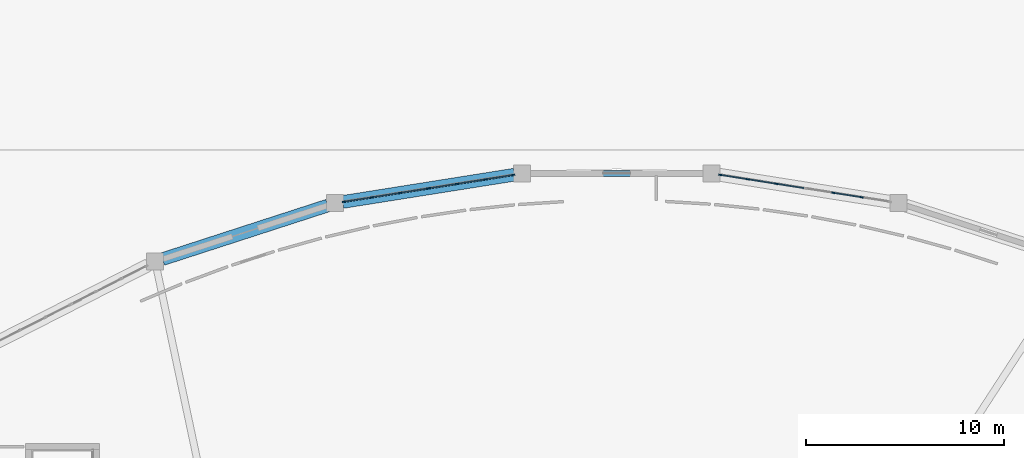
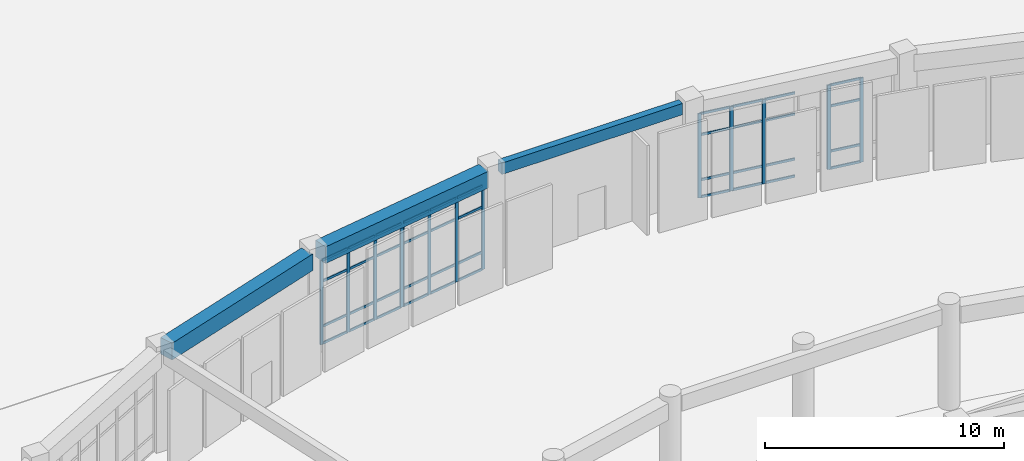
# One storey, part 20 of 70: 53 members, 3 beams, 4 elements without a shape of their own.
"""IFC4 building model written with IfcOpenShell, lengths in metres."""

from ifc_helpers import new_model, si_unit, direction, frame, origin, origin_2d, place, context, subcontext, project, spatial, rectangle, extrude, material, layer, layer_set, material_profile, profile_set, type_object, element, aggregate, save


model = new_model("IFC4")

# Units and contexts
model_context = context("Model", 3, precision=1e-05, world=origin(), true_north=direction((0.0, 1.0)))
body_context = subcontext(model_context, "Body", "Model", "MODEL_VIEW")
ifc_project = project(units=[si_unit("LENGTHUNIT", "METRE"), si_unit("AREAUNIT", "SQUARE_METRE"), si_unit("VOLUMEUNIT", "CUBIC_METRE"), si_unit("PLANEANGLEUNIT", "RADIAN"), si_unit("MASSUNIT", "GRAM", prefix="KILO")], contexts=[model_context])

# Site, building, storey
site_placement = place(None, origin())
site = spatial("IfcSite", under=ifc_project, at=site_placement, CompositionType="ELEMENT")
building_placement = place(site_placement, origin())
building = spatial("IfcBuilding", under=site, at=building_placement, Name="Miralva Faculty of Natural Sciences", CompositionType="ELEMENT")
storey_placement = place(building_placement, origin())
storey = spatial("IfcBuildingStorey", under=building, at=storey_placement, Name="L00", CompositionType="ELEMENT", Elevation=0.0)

# Beams
ifc_material_1 = material(Name="Concrete C40/50", Category="concrete")
ifc_material_profile_1 = material_profile(ifc_material_1, rectangle(XDim=0.320068359375, YDim=0.580078125, at=origin_2d()), Name="RC 320x580")
ifc_profile_set_1 = profile_set([ifc_material_profile_1], Name="Concrete C40/50")
beam_type_1 = type_object("IfcBeamType", Name="BM-BG02", PredefinedType="BEAM", material=ifc_profile_set_1)
beam_1_placement = place(storey_placement, frame((85.635009765625, 39.81005859375, 4.8701171875), z_axis=(1.0, 0.0, 0.0), x_axis=(0.0, 1.0, 0.0)))
element("IfcBeam", 1, at=beam_1_placement, inside=storey, type_object=beam_type_1, Name="Girder EW L00-45", PredefinedType="BEAM", context=body_context, shape_type="SweptSolid", body=[
    extrude(rectangle(XDim=0.320068359375, YDim=0.580078125, at=origin_2d()), origin(), (0.0, 0.0, 1.0), 8.72998046875),
])
ifc_material_profile_2 = material_profile(ifc_material_1, rectangle(XDim=0.64990234375, YDim=0.85009765625, at=origin_2d()), Name="RC 650x850")
ifc_profile_set_2 = profile_set([ifc_material_profile_2], Name="Concrete C40/50")
beam_type_2 = type_object("IfcBeamType", Name="BM-SP03", PredefinedType="SPANDREL", material=ifc_profile_set_2)
beam_2_placement = place(storey_placement, frame((84.82373046875, 39.748779296875, 4.735107421875), z_axis=(-0.987634435807, -0.156774427787, 0.0), x_axis=(0.156774427787, -0.987634435807, 0.0)))
element("IfcBeam", 2, at=beam_2_placement, inside=storey, type_object=beam_type_2, Name="Curved chord girder SHOUT L00-6", PredefinedType="SPANDREL", context=body_context, shape_type="SweptSolid", body=[
    extrude(rectangle(XDim=0.64990234375, YDim=0.85009765625, at=origin_2d()), origin(), (0.0, 0.0, 1.0), 8.7861328125),
])
beam_3_placement = place(storey_placement, frame((75.38818359375, 38.189453125, 4.735107421875), z_axis=(-0.951268878856, -0.308362643846, 0.0), x_axis=(0.308362643846, -0.951268878856, 0.0)))
element("IfcBeam", 3, at=beam_3_placement, inside=storey, type_object=beam_type_2, Name="Curved chord girder SHOUT L00-7", PredefinedType="SPANDREL", context=body_context, shape_type="SweptSolid", body=[
    extrude(rectangle(XDim=0.64990234375, YDim=0.85009765625, at=origin_2d()), origin(), (0.0, 0.0, 1.0), 8.7841796875),
])

# Curtain wall, members
ifc_material_2 = material(Name="Laminated solar-control glass", Category="glass")
ifc_layer = layer(ifc_material_2, 0.179931640625, Name="CW-ARC-L00")
ifc_layer_set = layer_set([ifc_layer], Name="Laminated solar-control glass")
curtain_wall_type = type_object("IfcCurtainWallType", Name="CW-ARC-L00", PredefinedType="USERDEFINED", material=ifc_layer_set)
curtain_wall_1_placement = place(storey_placement, origin())
curtain_wall_1 = element("IfcCurtainWall", 4, at=curtain_wall_1_placement, inside=storey, type_object=curtain_wall_type, Name="Curtain wall CW-01 L00-5", ObjectType="UNITISED CURTAIN WALL", PredefinedType="USERDEFINED")
ifc_material_3 = material(Name="Anodised aluminium", Category="aluminium")
ifc_material_profile_3 = material_profile(ifc_material_3, rectangle(XDim=0.06494140625, YDim=0.159912109375, at=origin_2d()), Name="MULLION 65x160")
ifc_profile_set_3 = profile_set([ifc_material_profile_3], Name="Anodised aluminium")
member_type_1 = type_object("IfcMemberType", Name="CW-M02", PredefinedType="MULLION", material=ifc_profile_set_3)
member_1_placement = place(storey_placement, frame((76.201904296875, 38.384521484375, 0.0), z_axis=(0.0, 0.0, 1.0), x_axis=(-0.15643952996, 0.987687538377, 0.0)))
member_1 = element("IfcMember", 5, at=member_1_placement, type_object=member_type_1, Name="CW-01 mullion 1", PredefinedType="MULLION", context=body_context, shape_type="SweptSolid", body=[
    extrude(rectangle(XDim=0.06494140625, YDim=0.159912109375, at=origin_2d()), origin(), (0.0, 0.0, 1.0), 4.304931640625),
])
member_2_placement = place(storey_placement, frame((77.60888671875, 38.607421875, 0.0), z_axis=(0.0, 0.0, 1.0), x_axis=(-0.15643952996, 0.987687538377, 0.0)))
member_2 = element("IfcMember", 6, at=member_2_placement, type_object=member_type_1, Name="CW-01 mullion 2", PredefinedType="MULLION", context=body_context, shape_type="SweptSolid", body=[
    extrude(rectangle(XDim=0.06494140625, YDim=0.159912109375, at=origin_2d()), origin(), (0.0, 0.0, 1.0), 4.304931640625),
])
member_3_placement = place(storey_placement, frame((79.0478515625, 38.83544921875, 0.0), z_axis=(0.0, 0.0, 1.0), x_axis=(-0.15643952996, 0.987687538377, 0.0)))
member_3 = element("IfcMember", 7, at=member_3_placement, type_object=member_type_1, Name="CW-01 mullion 3", PredefinedType="MULLION", context=body_context, shape_type="SweptSolid", body=[
    extrude(rectangle(XDim=0.06494140625, YDim=0.159912109375, at=origin_2d()), origin(), (0.0, 0.0, 1.0), 4.304931640625),
])
member_4_placement = place(storey_placement, frame((80.454833984375, 39.05810546875, 0.0), z_axis=(0.0, 0.0, 1.0), x_axis=(-0.15643952996, 0.987687538377, 0.0)))
member_4 = element("IfcMember", 8, at=member_4_placement, type_object=member_type_1, Name="CW-01 mullion 4", PredefinedType="MULLION", context=body_context, shape_type="SweptSolid", body=[
    extrude(rectangle(XDim=0.06494140625, YDim=0.159912109375, at=origin_2d()), origin(), (0.0, 0.0, 1.0), 4.304931640625),
])

curtain_wall_2_placement = place(storey_placement, origin())
curtain_wall_2 = element("IfcCurtainWall", 9, at=curtain_wall_2_placement, inside=storey, type_object=curtain_wall_type, Name="Curtain wall CW-01 L00-6", ObjectType="UNITISED CURTAIN WALL", PredefinedType="USERDEFINED")
member_5_placement = place(storey_placement, frame((80.51416015625, 39.067626953125, 0.0), z_axis=(0.0, 0.0, 1.0), x_axis=(-0.156422562973, 0.987690225624, 0.0)))
member_5 = element("IfcMember", 10, at=member_5_placement, type_object=member_type_1, Name="CW-01 mullion 1", PredefinedType="MULLION", context=body_context, shape_type="SweptSolid", body=[
    extrude(rectangle(XDim=0.06494140625, YDim=0.159912109375, at=origin_2d()), origin(), (0.0, 0.0, 1.0), 4.304931640625),
])
member_6_placement = place(storey_placement, frame((81.922607421875, 39.290771484375, 0.0), z_axis=(0.0, 0.0, 1.0), x_axis=(-0.156422562973, 0.987690225624, 0.0)))
member_6 = element("IfcMember", 11, at=member_6_placement, type_object=member_type_1, Name="CW-01 mullion 2", PredefinedType="MULLION", context=body_context, shape_type="SweptSolid", body=[
    extrude(rectangle(XDim=0.06494140625, YDim=0.159912109375, at=origin_2d()), origin(), (0.0, 0.0, 1.0), 4.304931640625),
])
member_7_placement = place(storey_placement, frame((83.36328125, 39.518798828125, 0.0), z_axis=(0.0, 0.0, 1.0), x_axis=(-0.156422562973, 0.987690225624, 0.0)))
member_7 = element("IfcMember", 12, at=member_7_placement, type_object=member_type_1, Name="CW-01 mullion 3", PredefinedType="MULLION", context=body_context, shape_type="SweptSolid", body=[
    extrude(rectangle(XDim=0.06494140625, YDim=0.159912109375, at=origin_2d()), origin(), (0.0, 0.0, 1.0), 4.304931640625),
])
member_8_placement = place(storey_placement, frame((84.77197265625, 39.741943359375, 0.0), z_axis=(0.0, 0.0, 1.0), x_axis=(-0.156422562973, 0.987690225624, 0.0)))
member_8 = element("IfcMember", 13, at=member_8_placement, type_object=member_type_1, Name="CW-01 mullion 4", PredefinedType="MULLION", context=body_context, shape_type="SweptSolid", body=[
    extrude(rectangle(XDim=0.06494140625, YDim=0.159912109375, at=origin_2d()), origin(), (0.0, 0.0, 1.0), 4.304931640625),
])

curtain_wall_3_placement = place(storey_placement, origin())
curtain_wall_3 = element("IfcCurtainWall", 14, at=curtain_wall_3_placement, inside=storey, type_object=curtain_wall_type, Name="Curtain wall CW-01 L00-7", ObjectType="UNITISED CURTAIN WALL", PredefinedType="USERDEFINED")
member_9_placement = place(storey_placement, frame((95.22802734375, 39.741943359375, 0.0), z_axis=(0.0, 0.0, 1.0), x_axis=(0.156417211778, 0.987691073089, 0.0)))
member_9 = element("IfcMember", 15, at=member_9_placement, type_object=member_type_1, Name="CW-01 mullion 1", PredefinedType="MULLION", context=body_context, shape_type="SweptSolid", body=[
    extrude(rectangle(XDim=0.06494140625, YDim=0.159912109375, at=origin_2d()), origin(), (0.0, 0.0, 1.0), 4.304931640625),
])
member_10_placement = place(storey_placement, frame((96.635009765625, 39.51904296875, 0.0), z_axis=(0.0, 0.0, 1.0), x_axis=(0.156417211778, 0.987691073089, 0.0)))
member_10 = element("IfcMember", 16, at=member_10_placement, type_object=member_type_1, Name="CW-01 mullion 2", PredefinedType="MULLION", context=body_context, shape_type="SweptSolid", body=[
    extrude(rectangle(XDim=0.06494140625, YDim=0.159912109375, at=origin_2d()), origin(), (0.0, 0.0, 1.0), 4.304931640625),
])
member_11_placement = place(storey_placement, frame((98.073974609375, 39.291259765625, 0.0), z_axis=(0.0, 0.0, 1.0), x_axis=(0.156417211778, 0.987691073089, 0.0)))
member_11 = element("IfcMember", 17, at=member_11_placement, type_object=member_type_1, Name="CW-01 mullion 3", PredefinedType="MULLION", context=body_context, shape_type="SweptSolid", body=[
    extrude(rectangle(XDim=0.06494140625, YDim=0.159912109375, at=origin_2d()), origin(), (0.0, 0.0, 1.0), 4.304931640625),
])

curtain_wall_4_placement = place(storey_placement, origin())
curtain_wall_4 = element("IfcCurtainWall", 18, at=curtain_wall_4_placement, inside=storey, type_object=curtain_wall_type, Name="Curtain wall CW-01 L00-8", ObjectType="UNITISED CURTAIN WALL", PredefinedType="USERDEFINED")
member_12_placement = place(storey_placement, frame((100.948974609375, 38.8359375, 0.0), z_axis=(0.0, 0.0, 1.0), x_axis=(0.156444855796, 0.987686694805, 0.0)))
member_12 = element("IfcMember", 19, at=member_12_placement, type_object=member_type_1, Name="CW-01 mullion 2", PredefinedType="MULLION", context=body_context, shape_type="SweptSolid", body=[
    extrude(rectangle(XDim=0.06494140625, YDim=0.159912109375, at=origin_2d()), origin(), (0.0, 0.0, 1.0), 4.304931640625),
])
member_13_placement = place(storey_placement, frame((102.3896484375, 38.607666015625, 0.0), z_axis=(0.0, 0.0, 1.0), x_axis=(0.156444855796, 0.987686694805, 0.0)))
member_13 = element("IfcMember", 20, at=member_13_placement, type_object=member_type_1, Name="CW-01 mullion 3", PredefinedType="MULLION", context=body_context, shape_type="SweptSolid", body=[
    extrude(rectangle(XDim=0.06494140625, YDim=0.159912109375, at=origin_2d()), origin(), (0.0, 0.0, 1.0), 4.304931640625),
])

# Member
ifc_material_profile_4 = material_profile(ifc_material_3, rectangle(XDim=0.06005859375, YDim=0.1201171875, at=origin_2d()), Name="TRANSOM 60x120")
ifc_profile_set_4 = profile_set([ifc_material_profile_4], Name="Anodised aluminium")
member_type_2 = type_object("IfcMemberType", Name="CW-T02", PredefinedType="USERDEFINED", material=ifc_profile_set_4)
member_14_placement = place(storey_placement, frame((76.23388671875, 38.3896484375, 0.030029296875), z_axis=(0.987691515216, 0.156414419955, 0.0), x_axis=(-0.156414419955, 0.987691515216, 0.0)))
member_14 = element("IfcMember", 21, at=member_14_placement, type_object=member_type_2, Name="CW-01 transom 1.1", ObjectType="TRANSOM", PredefinedType="USERDEFINED", context=body_context, shape_type="SweptSolid", body=[
    extrude(rectangle(XDim=0.06005859375, YDim=0.1201171875, at=origin_2d()), origin(), (0.0, 0.0, 1.0), 1.359619140625),
])

member_15_placement = place(storey_placement, frame((76.23388671875, 38.3896484375, 0.89990234375), z_axis=(0.987691515216, 0.156414419955, 0.0), x_axis=(-0.156414419955, 0.987691515216, 0.0)))
member_15 = element("IfcMember", 22, at=member_15_placement, type_object=member_type_2, Name="CW-01 transom 1.2", ObjectType="TRANSOM", PredefinedType="USERDEFINED", context=body_context, shape_type="SweptSolid", body=[
    extrude(rectangle(XDim=0.06005859375, YDim=0.1201171875, at=origin_2d()), origin(), (0.0, 0.0, 1.0), 1.359619140625),
])

member_16_placement = place(storey_placement, frame((76.23388671875, 38.3896484375, 3.205078125), z_axis=(0.987691515216, 0.156414419955, 0.0), x_axis=(-0.156414419955, 0.987691515216, 0.0)))
member_16 = element("IfcMember", 23, at=member_16_placement, type_object=member_type_2, Name="CW-01 transom 1.3", ObjectType="TRANSOM", PredefinedType="USERDEFINED", context=body_context, shape_type="SweptSolid", body=[
    extrude(rectangle(XDim=0.06005859375, YDim=0.1201171875, at=origin_2d()), origin(), (0.0, 0.0, 1.0), 1.359619140625),
])

member_17_placement = place(storey_placement, frame((76.23388671875, 38.3896484375, 4.27490234375), z_axis=(0.987691515216, 0.156414419955, 0.0), x_axis=(-0.156414419955, 0.987691515216, 0.0)))
member_17 = element("IfcMember", 24, at=member_17_placement, type_object=member_type_2, Name="CW-01 transom 1.4", ObjectType="TRANSOM", PredefinedType="USERDEFINED", context=body_context, shape_type="SweptSolid", body=[
    extrude(rectangle(XDim=0.06005859375, YDim=0.1201171875, at=origin_2d()), origin(), (0.0, 0.0, 1.0), 1.359619140625),
])

member_18_placement = place(storey_placement, frame((77.640869140625, 38.612548828125, 0.030029296875), z_axis=(0.987684621612, 0.156457943967, 0.0), x_axis=(-0.156457943967, 0.987684621612, 0.0)))
member_18 = element("IfcMember", 25, at=member_18_placement, type_object=member_type_2, Name="CW-01 transom 2.1", ObjectType="TRANSOM", PredefinedType="USERDEFINED", context=body_context, shape_type="SweptSolid", body=[
    extrude(rectangle(XDim=0.06005859375, YDim=0.1201171875, at=origin_2d()), origin(), (0.0, 0.0, 1.0), 1.391845703125),
])

member_19_placement = place(storey_placement, frame((77.640869140625, 38.612548828125, 0.89990234375), z_axis=(0.987684621612, 0.156457943967, 0.0), x_axis=(-0.156457943967, 0.987684621612, 0.0)))
member_19 = element("IfcMember", 26, at=member_19_placement, type_object=member_type_2, Name="CW-01 transom 2.2", ObjectType="TRANSOM", PredefinedType="USERDEFINED", context=body_context, shape_type="SweptSolid", body=[
    extrude(rectangle(XDim=0.06005859375, YDim=0.1201171875, at=origin_2d()), origin(), (0.0, 0.0, 1.0), 1.391845703125),
])

member_20_placement = place(storey_placement, frame((77.640869140625, 38.612548828125, 3.205078125), z_axis=(0.987684621612, 0.156457943967, 0.0), x_axis=(-0.156457943967, 0.987684621612, 0.0)))
member_20 = element("IfcMember", 27, at=member_20_placement, type_object=member_type_2, Name="CW-01 transom 2.3", ObjectType="TRANSOM", PredefinedType="USERDEFINED", context=body_context, shape_type="SweptSolid", body=[
    extrude(rectangle(XDim=0.06005859375, YDim=0.1201171875, at=origin_2d()), origin(), (0.0, 0.0, 1.0), 1.391845703125),
])

member_21_placement = place(storey_placement, frame((77.640869140625, 38.612548828125, 4.27490234375), z_axis=(0.987684621612, 0.156457943967, 0.0), x_axis=(-0.156457943967, 0.987684621612, 0.0)))
member_21 = element("IfcMember", 28, at=member_21_placement, type_object=member_type_2, Name="CW-01 transom 2.4", ObjectType="TRANSOM", PredefinedType="USERDEFINED", context=body_context, shape_type="SweptSolid", body=[
    extrude(rectangle(XDim=0.06005859375, YDim=0.1201171875, at=origin_2d()), origin(), (0.0, 0.0, 1.0), 1.391845703125),
])

member_22_placement = place(storey_placement, frame((79.079833984375, 38.84033203125, 0.030029296875), z_axis=(0.987663757248, 0.156589599331, 0.0), x_axis=(-0.156589599331, 0.987663757248, 0.0)))
member_22 = element("IfcMember", 29, at=member_22_placement, type_object=member_type_2, Name="CW-01 transom 3.1", ObjectType="TRANSOM", PredefinedType="USERDEFINED", context=body_context, shape_type="SweptSolid", body=[
    extrude(rectangle(XDim=0.06005859375, YDim=0.1201171875, at=origin_2d()), origin(), (0.0, 0.0, 1.0), 1.359619140625),
])

member_23_placement = place(storey_placement, frame((79.079833984375, 38.84033203125, 0.89990234375), z_axis=(0.987663757248, 0.156589599331, 0.0), x_axis=(-0.156589599331, 0.987663757248, 0.0)))
member_23 = element("IfcMember", 30, at=member_23_placement, type_object=member_type_2, Name="CW-01 transom 3.2", ObjectType="TRANSOM", PredefinedType="USERDEFINED", context=body_context, shape_type="SweptSolid", body=[
    extrude(rectangle(XDim=0.06005859375, YDim=0.1201171875, at=origin_2d()), origin(), (0.0, 0.0, 1.0), 1.359619140625),
])

member_24_placement = place(storey_placement, frame((79.079833984375, 38.84033203125, 3.205078125), z_axis=(0.987663757248, 0.156589599331, 0.0), x_axis=(-0.156589599331, 0.987663757248, 0.0)))
member_24 = element("IfcMember", 31, at=member_24_placement, type_object=member_type_2, Name="CW-01 transom 3.3", ObjectType="TRANSOM", PredefinedType="USERDEFINED", context=body_context, shape_type="SweptSolid", body=[
    extrude(rectangle(XDim=0.06005859375, YDim=0.1201171875, at=origin_2d()), origin(), (0.0, 0.0, 1.0), 1.359619140625),
])

member_25_placement = place(storey_placement, frame((79.079833984375, 38.84033203125, 4.27490234375), z_axis=(0.987663757248, 0.156589599331, 0.0), x_axis=(-0.156589599331, 0.987663757248, 0.0)))
member_25 = element("IfcMember", 32, at=member_25_placement, type_object=member_type_2, Name="CW-01 transom 3.4", ObjectType="TRANSOM", PredefinedType="USERDEFINED", context=body_context, shape_type="SweptSolid", body=[
    extrude(rectangle(XDim=0.06005859375, YDim=0.1201171875, at=origin_2d()), origin(), (0.0, 0.0, 1.0), 1.359619140625),
])

aggregate(curtain_wall_1, [member_1, member_2, member_3, member_4, member_14, member_15, member_16, member_17, member_18, member_19, member_20, member_21, member_22, member_23, member_24, member_25])

member_26_placement = place(storey_placement, frame((80.546142578125, 39.07275390625, 0.030029296875), z_axis=(0.987694522615, 0.156395428313, 0.0), x_axis=(-0.156395428313, 0.987694522615, 0.0)))
member_26 = element("IfcMember", 33, at=member_26_placement, type_object=member_type_2, Name="CW-01 transom 1.1", ObjectType="TRANSOM", PredefinedType="USERDEFINED", context=body_context, shape_type="SweptSolid", body=[
    extrude(rectangle(XDim=0.06005859375, YDim=0.1201171875, at=origin_2d()), origin(), (0.0, 0.0, 1.0), 1.361328125),
])

member_27_placement = place(storey_placement, frame((80.546142578125, 39.07275390625, 0.89990234375), z_axis=(0.987694522615, 0.156395428313, 0.0), x_axis=(-0.156395428313, 0.987694522615, 0.0)))
member_27 = element("IfcMember", 34, at=member_27_placement, type_object=member_type_2, Name="CW-01 transom 1.2", ObjectType="TRANSOM", PredefinedType="USERDEFINED", context=body_context, shape_type="SweptSolid", body=[
    extrude(rectangle(XDim=0.06005859375, YDim=0.1201171875, at=origin_2d()), origin(), (0.0, 0.0, 1.0), 1.361328125),
])

member_28_placement = place(storey_placement, frame((80.546142578125, 39.07275390625, 3.205078125), z_axis=(0.987694522615, 0.156395428313, 0.0), x_axis=(-0.156395428313, 0.987694522615, 0.0)))
member_28 = element("IfcMember", 35, at=member_28_placement, type_object=member_type_2, Name="CW-01 transom 1.3", ObjectType="TRANSOM", PredefinedType="USERDEFINED", context=body_context, shape_type="SweptSolid", body=[
    extrude(rectangle(XDim=0.06005859375, YDim=0.1201171875, at=origin_2d()), origin(), (0.0, 0.0, 1.0), 1.361328125),
])

member_29_placement = place(storey_placement, frame((80.546142578125, 39.07275390625, 4.27490234375), z_axis=(0.987694522615, 0.156395428313, 0.0), x_axis=(-0.156395428313, 0.987694522615, 0.0)))
member_29 = element("IfcMember", 36, at=member_29_placement, type_object=member_type_2, Name="CW-01 transom 1.4", ObjectType="TRANSOM", PredefinedType="USERDEFINED", context=body_context, shape_type="SweptSolid", body=[
    extrude(rectangle(XDim=0.06005859375, YDim=0.1201171875, at=origin_2d()), origin(), (0.0, 0.0, 1.0), 1.361328125),
])

member_30_placement = place(storey_placement, frame((81.954833984375, 39.295654296875, 0.030029296875), z_axis=(0.987687568473, 0.156439339951, 0.0), x_axis=(-0.156439339951, 0.987687568473, 0.0)))
member_30 = element("IfcMember", 37, at=member_30_placement, type_object=member_type_2, Name="CW-01 transom 2.1", ObjectType="TRANSOM", PredefinedType="USERDEFINED", context=body_context, shape_type="SweptSolid", body=[
    extrude(rectangle(XDim=0.06005859375, YDim=0.1201171875, at=origin_2d()), origin(), (0.0, 0.0, 1.0), 1.3935546875),
])

member_31_placement = place(storey_placement, frame((81.954833984375, 39.295654296875, 0.89990234375), z_axis=(0.987687568473, 0.156439339951, 0.0), x_axis=(-0.156439339951, 0.987687568473, 0.0)))
member_31 = element("IfcMember", 38, at=member_31_placement, type_object=member_type_2, Name="CW-01 transom 2.2", ObjectType="TRANSOM", PredefinedType="USERDEFINED", context=body_context, shape_type="SweptSolid", body=[
    extrude(rectangle(XDim=0.06005859375, YDim=0.1201171875, at=origin_2d()), origin(), (0.0, 0.0, 1.0), 1.3935546875),
])

member_32_placement = place(storey_placement, frame((81.954833984375, 39.295654296875, 3.205078125), z_axis=(0.987687568473, 0.156439339951, 0.0), x_axis=(-0.156439339951, 0.987687568473, 0.0)))
member_32 = element("IfcMember", 39, at=member_32_placement, type_object=member_type_2, Name="CW-01 transom 2.3", ObjectType="TRANSOM", PredefinedType="USERDEFINED", context=body_context, shape_type="SweptSolid", body=[
    extrude(rectangle(XDim=0.06005859375, YDim=0.1201171875, at=origin_2d()), origin(), (0.0, 0.0, 1.0), 1.3935546875),
])

member_33_placement = place(storey_placement, frame((81.954833984375, 39.295654296875, 4.27490234375), z_axis=(0.987687568473, 0.156439339951, 0.0), x_axis=(-0.156439339951, 0.987687568473, 0.0)))
member_33 = element("IfcMember", 40, at=member_33_placement, type_object=member_type_2, Name="CW-01 transom 2.4", ObjectType="TRANSOM", PredefinedType="USERDEFINED", context=body_context, shape_type="SweptSolid", body=[
    extrude(rectangle(XDim=0.06005859375, YDim=0.1201171875, at=origin_2d()), origin(), (0.0, 0.0, 1.0), 1.3935546875),
])

member_34_placement = place(storey_placement, frame((83.3955078125, 39.52392578125, 0.030029296875), z_axis=(0.987694522615, 0.156395428313, 0.0), x_axis=(-0.156395428313, 0.987694522615, 0.0)))
member_34 = element("IfcMember", 41, at=member_34_placement, type_object=member_type_2, Name="CW-01 transom 3.1", ObjectType="TRANSOM", PredefinedType="USERDEFINED", context=body_context, shape_type="SweptSolid", body=[
    extrude(rectangle(XDim=0.06005859375, YDim=0.1201171875, at=origin_2d()), origin(), (0.0, 0.0, 1.0), 1.361328125),
])

member_35_placement = place(storey_placement, frame((83.3955078125, 39.52392578125, 0.89990234375), z_axis=(0.987694522615, 0.156395428313, 0.0), x_axis=(-0.156395428313, 0.987694522615, 0.0)))
member_35 = element("IfcMember", 42, at=member_35_placement, type_object=member_type_2, Name="CW-01 transom 3.2", ObjectType="TRANSOM", PredefinedType="USERDEFINED", context=body_context, shape_type="SweptSolid", body=[
    extrude(rectangle(XDim=0.06005859375, YDim=0.1201171875, at=origin_2d()), origin(), (0.0, 0.0, 1.0), 1.361328125),
])

member_36_placement = place(storey_placement, frame((83.3955078125, 39.52392578125, 3.205078125), z_axis=(0.987694522615, 0.156395428313, 0.0), x_axis=(-0.156395428313, 0.987694522615, 0.0)))
member_36 = element("IfcMember", 43, at=member_36_placement, type_object=member_type_2, Name="CW-01 transom 3.3", ObjectType="TRANSOM", PredefinedType="USERDEFINED", context=body_context, shape_type="SweptSolid", body=[
    extrude(rectangle(XDim=0.06005859375, YDim=0.1201171875, at=origin_2d()), origin(), (0.0, 0.0, 1.0), 1.361328125),
])

member_37_placement = place(storey_placement, frame((83.3955078125, 39.52392578125, 4.27490234375), z_axis=(0.987694522615, 0.156395428313, 0.0), x_axis=(-0.156395428313, 0.987694522615, 0.0)))
member_37 = element("IfcMember", 44, at=member_37_placement, type_object=member_type_2, Name="CW-01 transom 3.4", ObjectType="TRANSOM", PredefinedType="USERDEFINED", context=body_context, shape_type="SweptSolid", body=[
    extrude(rectangle(XDim=0.06005859375, YDim=0.1201171875, at=origin_2d()), origin(), (0.0, 0.0, 1.0), 1.361328125),
])

aggregate(curtain_wall_2, [member_5, member_6, member_7, member_8, member_26, member_27, member_28, member_29, member_30, member_31, member_32, member_33, member_34, member_35, member_36, member_37])

member_38_placement = place(storey_placement, frame((95.260009765625, 39.73681640625, 0.030029296875), z_axis=(0.987691515216, -0.156414419955, 0.0), x_axis=(0.156414419955, 0.987691515216, 0.0)))
member_38 = element("IfcMember", 45, at=member_38_placement, type_object=member_type_2, Name="CW-01 transom 1.1", ObjectType="TRANSOM", PredefinedType="USERDEFINED", context=body_context, shape_type="SweptSolid", body=[
    extrude(rectangle(XDim=0.06005859375, YDim=0.1201171875, at=origin_2d()), origin(), (0.0, 0.0, 1.0), 1.359619140625),
])

member_39_placement = place(storey_placement, frame((95.260009765625, 39.73681640625, 0.89990234375), z_axis=(0.987691515216, -0.156414419955, 0.0), x_axis=(0.156414419955, 0.987691515216, 0.0)))
member_39 = element("IfcMember", 46, at=member_39_placement, type_object=member_type_2, Name="CW-01 transom 1.2", ObjectType="TRANSOM", PredefinedType="USERDEFINED", context=body_context, shape_type="SweptSolid", body=[
    extrude(rectangle(XDim=0.06005859375, YDim=0.1201171875, at=origin_2d()), origin(), (0.0, 0.0, 1.0), 1.359619140625),
])

member_40_placement = place(storey_placement, frame((95.260009765625, 39.73681640625, 3.205078125), z_axis=(0.987691515216, -0.156414419955, 0.0), x_axis=(0.156414419955, 0.987691515216, 0.0)))
member_40 = element("IfcMember", 47, at=member_40_placement, type_object=member_type_2, Name="CW-01 transom 1.3", ObjectType="TRANSOM", PredefinedType="USERDEFINED", context=body_context, shape_type="SweptSolid", body=[
    extrude(rectangle(XDim=0.06005859375, YDim=0.1201171875, at=origin_2d()), origin(), (0.0, 0.0, 1.0), 1.359619140625),
])

member_41_placement = place(storey_placement, frame((95.260009765625, 39.73681640625, 4.27490234375), z_axis=(0.987691515216, -0.156414419955, 0.0), x_axis=(0.156414419955, 0.987691515216, 0.0)))
member_41 = element("IfcMember", 48, at=member_41_placement, type_object=member_type_2, Name="CW-01 transom 1.4", ObjectType="TRANSOM", PredefinedType="USERDEFINED", context=body_context, shape_type="SweptSolid", body=[
    extrude(rectangle(XDim=0.06005859375, YDim=0.1201171875, at=origin_2d()), origin(), (0.0, 0.0, 1.0), 1.359619140625),
])

member_42_placement = place(storey_placement, frame((96.6669921875, 39.513916015625, 0.030029296875), z_axis=(0.987715995769, -0.156259757143, 0.0), x_axis=(0.156259757143, 0.987715995769, 0.0)))
member_42 = element("IfcMember", 49, at=member_42_placement, type_object=member_type_2, Name="CW-01 transom 2.1", ObjectType="TRANSOM", PredefinedType="USERDEFINED", context=body_context, shape_type="SweptSolid", body=[
    extrude(rectangle(XDim=0.06005859375, YDim=0.1201171875, at=origin_2d()), origin(), (0.0, 0.0, 1.0), 1.39208984375),
])

member_43_placement = place(storey_placement, frame((96.6669921875, 39.513916015625, 0.89990234375), z_axis=(0.987715995769, -0.156259757143, 0.0), x_axis=(0.156259757143, 0.987715995769, 0.0)))
member_43 = element("IfcMember", 50, at=member_43_placement, type_object=member_type_2, Name="CW-01 transom 2.2", ObjectType="TRANSOM", PredefinedType="USERDEFINED", context=body_context, shape_type="SweptSolid", body=[
    extrude(rectangle(XDim=0.06005859375, YDim=0.1201171875, at=origin_2d()), origin(), (0.0, 0.0, 1.0), 1.39208984375),
])

member_44_placement = place(storey_placement, frame((96.6669921875, 39.513916015625, 3.205078125), z_axis=(0.987715995769, -0.156259757143, 0.0), x_axis=(0.156259757143, 0.987715995769, 0.0)))
member_44 = element("IfcMember", 51, at=member_44_placement, type_object=member_type_2, Name="CW-01 transom 2.3", ObjectType="TRANSOM", PredefinedType="USERDEFINED", context=body_context, shape_type="SweptSolid", body=[
    extrude(rectangle(XDim=0.06005859375, YDim=0.1201171875, at=origin_2d()), origin(), (0.0, 0.0, 1.0), 1.39208984375),
])

member_45_placement = place(storey_placement, frame((96.6669921875, 39.513916015625, 4.27490234375), z_axis=(0.987715995769, -0.156259757143, 0.0), x_axis=(0.156259757143, 0.987715995769, 0.0)))
member_45 = element("IfcMember", 52, at=member_45_placement, type_object=member_type_2, Name="CW-01 transom 2.4", ObjectType="TRANSOM", PredefinedType="USERDEFINED", context=body_context, shape_type="SweptSolid", body=[
    extrude(rectangle(XDim=0.06005859375, YDim=0.1201171875, at=origin_2d()), origin(), (0.0, 0.0, 1.0), 1.39208984375),
])

member_46_placement = place(storey_placement, frame((98.106201171875, 39.2861328125, 0.030029296875), z_axis=(0.987691515216, -0.156414419955, 0.0), x_axis=(0.156414419955, 0.987691515216, 0.0)))
member_46 = element("IfcMember", 53, at=member_46_placement, type_object=member_type_2, Name="CW-01 transom 3.1", ObjectType="TRANSOM", PredefinedType="USERDEFINED", context=body_context, shape_type="SweptSolid", body=[
    extrude(rectangle(XDim=0.06005859375, YDim=0.1201171875, at=origin_2d()), origin(), (0.0, 0.0, 1.0), 1.359619140625),
])

member_47_placement = place(storey_placement, frame((98.106201171875, 39.2861328125, 0.89990234375), z_axis=(0.987691515216, -0.156414419955, 0.0), x_axis=(0.156414419955, 0.987691515216, 0.0)))
member_47 = element("IfcMember", 54, at=member_47_placement, type_object=member_type_2, Name="CW-01 transom 3.2", ObjectType="TRANSOM", PredefinedType="USERDEFINED", context=body_context, shape_type="SweptSolid", body=[
    extrude(rectangle(XDim=0.06005859375, YDim=0.1201171875, at=origin_2d()), origin(), (0.0, 0.0, 1.0), 1.359619140625),
])

member_48_placement = place(storey_placement, frame((98.106201171875, 39.2861328125, 3.205078125), z_axis=(0.987691515216, -0.156414419955, 0.0), x_axis=(0.156414419955, 0.987691515216, 0.0)))
member_48 = element("IfcMember", 55, at=member_48_placement, type_object=member_type_2, Name="CW-01 transom 3.3", ObjectType="TRANSOM", PredefinedType="USERDEFINED", context=body_context, shape_type="SweptSolid", body=[
    extrude(rectangle(XDim=0.06005859375, YDim=0.1201171875, at=origin_2d()), origin(), (0.0, 0.0, 1.0), 1.359619140625),
])

member_49_placement = place(storey_placement, frame((98.106201171875, 39.2861328125, 4.27490234375), z_axis=(0.987691515216, -0.156414419955, 0.0), x_axis=(0.156414419955, 0.987691515216, 0.0)))
member_49 = element("IfcMember", 56, at=member_49_placement, type_object=member_type_2, Name="CW-01 transom 3.4", ObjectType="TRANSOM", PredefinedType="USERDEFINED", context=body_context, shape_type="SweptSolid", body=[
    extrude(rectangle(XDim=0.06005859375, YDim=0.1201171875, at=origin_2d()), origin(), (0.0, 0.0, 1.0), 1.359619140625),
])

aggregate(curtain_wall_3, [member_9, member_10, member_11, member_38, member_39, member_40, member_41, member_42, member_43, member_44, member_45, member_46, member_47, member_48, member_49])

member_50_placement = place(storey_placement, frame((100.98095703125, 38.830810546875, 0.030029296875), z_axis=(0.987687568473, -0.156439339951, 0.0), x_axis=(0.156439339951, 0.987687568473, 0.0)))
member_50 = element("IfcMember", 57, at=member_50_placement, type_object=member_type_2, Name="CW-01 transom 2.1", ObjectType="TRANSOM", PredefinedType="USERDEFINED", context=body_context, shape_type="SweptSolid", body=[
    extrude(rectangle(XDim=0.06005859375, YDim=0.1201171875, at=origin_2d()), origin(), (0.0, 0.0, 1.0), 1.3935546875),
])

member_51_placement = place(storey_placement, frame((100.98095703125, 38.830810546875, 0.89990234375), z_axis=(0.987687568473, -0.156439339951, 0.0), x_axis=(0.156439339951, 0.987687568473, 0.0)))
member_51 = element("IfcMember", 58, at=member_51_placement, type_object=member_type_2, Name="CW-01 transom 2.2", ObjectType="TRANSOM", PredefinedType="USERDEFINED", context=body_context, shape_type="SweptSolid", body=[
    extrude(rectangle(XDim=0.06005859375, YDim=0.1201171875, at=origin_2d()), origin(), (0.0, 0.0, 1.0), 1.3935546875),
])

member_52_placement = place(storey_placement, frame((100.98095703125, 38.830810546875, 3.205078125), z_axis=(0.987687568473, -0.156439339951, 0.0), x_axis=(0.156439339951, 0.987687568473, 0.0)))
member_52 = element("IfcMember", 59, at=member_52_placement, type_object=member_type_2, Name="CW-01 transom 2.3", ObjectType="TRANSOM", PredefinedType="USERDEFINED", context=body_context, shape_type="SweptSolid", body=[
    extrude(rectangle(XDim=0.06005859375, YDim=0.1201171875, at=origin_2d()), origin(), (0.0, 0.0, 1.0), 1.3935546875),
])

member_53_placement = place(storey_placement, frame((100.98095703125, 38.830810546875, 4.27490234375), z_axis=(0.987687568473, -0.156439339951, 0.0), x_axis=(0.156439339951, 0.987687568473, 0.0)))
member_53 = element("IfcMember", 60, at=member_53_placement, type_object=member_type_2, Name="CW-01 transom 2.4", ObjectType="TRANSOM", PredefinedType="USERDEFINED", context=body_context, shape_type="SweptSolid", body=[
    extrude(rectangle(XDim=0.06005859375, YDim=0.1201171875, at=origin_2d()), origin(), (0.0, 0.0, 1.0), 1.3935546875),
])

aggregate(curtain_wall_4, [member_12, member_13, member_50, member_51, member_52, member_53])

save(model, "model.ifc")
